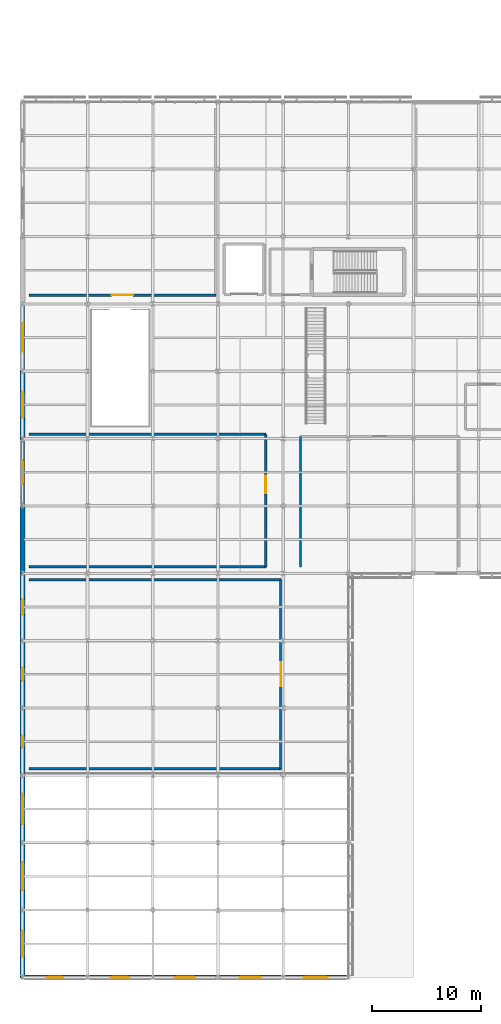
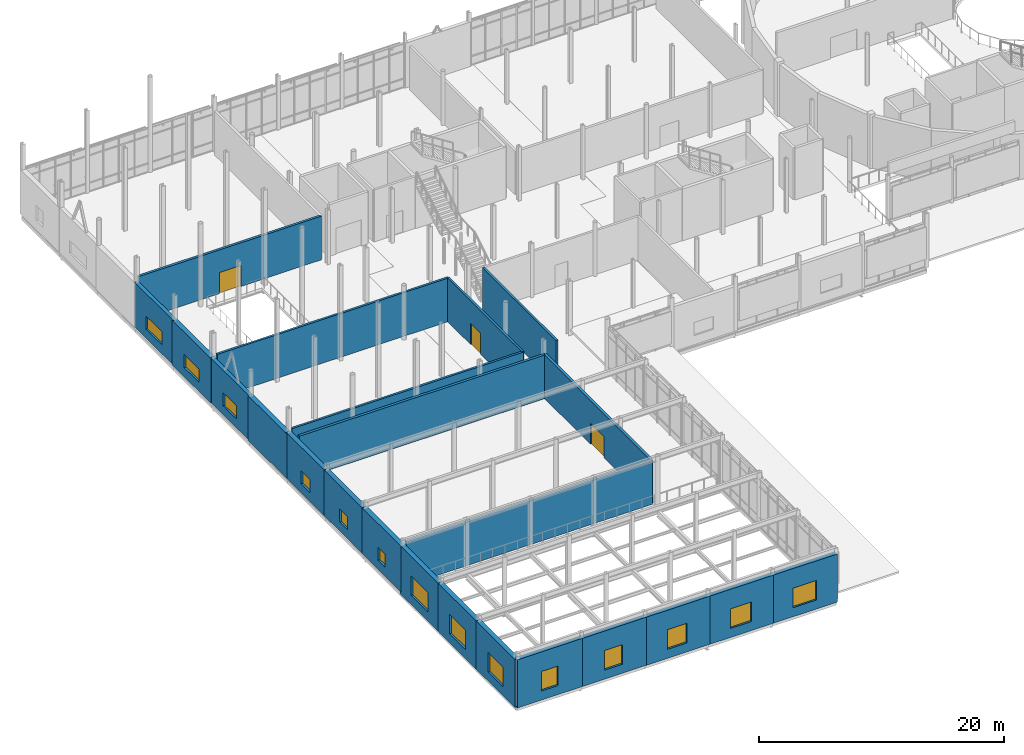
# One storey, part 66 of 105: 23 walls, 14 windows, 3 doors, 17 openings.
"""IFC4 building model written with IfcOpenShell, lengths in metres."""

from ifc_helpers import new_model, si_unit, direction, frame, frame_2d, origin, place, context, subcontext, project, spatial, rectangle, extrude, material, layer, layer_set, type_object, element, fill, save


model = new_model("IFC4")

# Units and contexts
model_context = context("Model", 3, precision=1e-05, world=origin(), true_north=direction((0.0, 1.0)))
body_context = subcontext(model_context, "Body", "Model", "MODEL_VIEW")
ifc_project = project(units=[si_unit("LENGTHUNIT", "METRE"), si_unit("AREAUNIT", "SQUARE_METRE"), si_unit("VOLUMEUNIT", "CUBIC_METRE"), si_unit("PLANEANGLEUNIT", "RADIAN"), si_unit("MASSUNIT", "GRAM", prefix="KILO")], contexts=[model_context])

# Site, building, storey
site_placement = place(None, origin())
site = spatial("IfcSite", under=ifc_project, at=site_placement, CompositionType="ELEMENT")
building_placement = place(site_placement, origin())
building = spatial("IfcBuilding", under=site, at=building_placement, Name="Mirzam Square Science Centre", CompositionType="ELEMENT")
storey_placement = place(building_placement, frame((0.0, 0.0, 5.39990234375)))
storey = spatial("IfcBuildingStorey", under=building, at=storey_placement, Name="L01", CompositionType="ELEMENT", Elevation=5.39990234375)

# Wall, opening, window
ifc_material_1 = material(Name="Honed Qatari Limestone Concrete C40/50", Category="masonry")
ifc_layer_1 = layer(ifc_material_1, 0.419921875)
ifc_layer_set_1 = layer_set([ifc_layer_1], Name="W-EXT-LIME-420")
wall_type_1 = type_object("IfcWallType", Name="W-EXT-LIME-420", PredefinedType="SOLIDWALL", material=ifc_layer_set_1)
wall_1_placement = place(storey_placement, frame((-0.074951171875, 0.0, -0.25), z_axis=(0.0, 0.0, 1.0), x_axis=(1.0, 0.0, 0.0)))
wall_1 = element("IfcWall", 1, at=wall_1_placement, inside=storey, type_object=wall_type_1, Name="L01 external wall EW-SW-S-L01-01", PredefinedType="SOLIDWALL", context=body_context, shape_type="SweptSolid", body=[
    extrude(rectangle(XDim=6.14990234375, YDim=0.419921875, at=frame_2d((3.074951171875, 0.0))), origin(), (0.0, 0.0, 1.0), 4.800048828125),
])
opening_1_placement = place(wall_1_placement, frame((2.300048828125, 0.0, 0.89990234375)))
opening_1 = element("IfcOpeningElement", 2, at=opening_1_placement, cuts=wall_1, Name="Opening W-37", PredefinedType="OPENING", context=body_context, shape_type="SweptSolid", body=[
    extrude(rectangle(XDim=1.550048828125, YDim=1.949951171875, at=frame_2d((0.77490234375, 0.97509765625))), frame((0.0, 0.219970703125, 0.0), z_axis=(0.0, -1.0, 0.0), x_axis=(1.0, 0.0, 0.0)), (0.0, 0.0, 1.0), 0.43994140625),
])
ifc_material_2 = material(Name="Thermally Broken Bronze Aluminium and Low-E Glass", Category="aluminium")
window_type_1 = type_object("IfcWindowType", Name="WIN-1550x1950", PartitioningType="SINGLE_PANEL", PredefinedType="WINDOW", material=ifc_material_2)
window_1_placement = place(opening_1_placement, origin())
window_1 = element("IfcWindow", 3, at=window_1_placement, inside=storey, type_object=window_type_1, Name="L01 solar window 037", OverallHeight=1.949951171875, OverallWidth=1.550048828125, PartitioningType="SINGLE_PANEL", PredefinedType="WINDOW", context=body_context, shape_type="SweptSolid", body=[
    extrude(rectangle(XDim=1.550048828125, YDim=1.949951171875, at=frame_2d((0.77490234375, 0.97509765625))), frame((0.0, 0.030029296875, 0.0), z_axis=(0.0, -1.0, 0.0), x_axis=(1.0, 0.0, 0.0)), (0.0, 0.0, 1.0), 0.06005859375),
])
fill(opening_1, window_1)

wall_2_placement = place(storey_placement, frame((5.925048828125, 0.0, -0.25), z_axis=(0.0, 0.0, 1.0), x_axis=(1.0, 0.0, 0.0)))
wall_2 = element("IfcWall", 4, at=wall_2_placement, inside=storey, type_object=wall_type_1, Name="L01 external wall EW-SW-S-L01-02", PredefinedType="SOLIDWALL", context=body_context, shape_type="SweptSolid", body=[
    extrude(rectangle(XDim=6.14990234375, YDim=0.419921875, at=frame_2d((3.074951171875, 0.0))), origin(), (0.0, 0.0, 1.0), 4.800048828125),
])
opening_2_placement = place(wall_2_placement, frame((2.22509765625, 0.0, 0.89990234375)))
opening_2 = element("IfcOpeningElement", 5, at=opening_2_placement, cuts=wall_2, Name="Opening W-38", PredefinedType="OPENING", context=body_context, shape_type="SweptSolid", body=[
    extrude(rectangle(XDim=1.699951171875, YDim=1.949951171875, at=frame_2d((0.85009765625, 0.97509765625))), frame((0.0, 0.219970703125, 0.0), z_axis=(0.0, -1.0, 0.0), x_axis=(1.0, 0.0, 0.0)), (0.0, 0.0, 1.0), 0.43994140625),
])
window_type_2 = type_object("IfcWindowType", Name="WIN-1700x1950", PartitioningType="SINGLE_PANEL", PredefinedType="WINDOW", material=ifc_material_2)
window_2_placement = place(opening_2_placement, origin())
window_2 = element("IfcWindow", 6, at=window_2_placement, inside=storey, type_object=window_type_2, Name="L01 solar window 038", OverallHeight=1.949951171875, OverallWidth=1.699951171875, PartitioningType="SINGLE_PANEL", PredefinedType="WINDOW", context=body_context, shape_type="SweptSolid", body=[
    extrude(rectangle(XDim=1.699951171875, YDim=1.949951171875, at=frame_2d((0.85009765625, 0.97509765625))), frame((0.0, 0.030029296875, 0.0), z_axis=(0.0, -1.0, 0.0), x_axis=(1.0, 0.0, 0.0)), (0.0, 0.0, 1.0), 0.06005859375),
])
fill(opening_2, window_2)

wall_3_placement = place(storey_placement, frame((11.925048828125, 0.0, -0.25), z_axis=(0.0, 0.0, 1.0), x_axis=(1.0, 0.0, 0.0)))
wall_3 = element("IfcWall", 7, at=wall_3_placement, inside=storey, type_object=wall_type_1, Name="L01 external wall EW-SW-S-L01-03", PredefinedType="SOLIDWALL", context=body_context, shape_type="SweptSolid", body=[
    extrude(rectangle(XDim=6.14990234375, YDim=0.419921875, at=frame_2d((3.074951171875, 0.0))), origin(), (0.0, 0.0, 1.0), 4.800048828125),
])
opening_3_placement = place(wall_3_placement, frame((2.14990234375, 0.0, 0.89990234375)))
opening_3 = element("IfcOpeningElement", 8, at=opening_3_placement, cuts=wall_3, Name="Opening W-39", PredefinedType="OPENING", context=body_context, shape_type="SweptSolid", body=[
    extrude(rectangle(XDim=1.85009765625, YDim=1.949951171875, at=frame_2d((0.925048828125, 0.97509765625))), frame((0.0, 0.219970703125, 0.0), z_axis=(0.0, -1.0, 0.0), x_axis=(1.0, 0.0, 0.0)), (0.0, 0.0, 1.0), 0.43994140625),
])
window_type_3 = type_object("IfcWindowType", Name="WIN-1850x1950", PartitioningType="DOUBLE_PANEL_VERTICAL", PredefinedType="WINDOW", material=ifc_material_2)
window_3_placement = place(opening_3_placement, origin())
window_3 = element("IfcWindow", 9, at=window_3_placement, inside=storey, type_object=window_type_3, Name="L01 solar window 039", OverallHeight=1.949951171875, OverallWidth=1.85009765625, PartitioningType="DOUBLE_PANEL_VERTICAL", PredefinedType="WINDOW", context=body_context, shape_type="SweptSolid", body=[
    extrude(rectangle(XDim=1.85009765625, YDim=1.949951171875, at=frame_2d((0.925048828125, 0.97509765625))), frame((0.0, 0.030029296875, 0.0), z_axis=(0.0, -1.0, 0.0), x_axis=(1.0, 0.0, 0.0)), (0.0, 0.0, 1.0), 0.06005859375),
])
fill(opening_3, window_3)

wall_4_placement = place(storey_placement, frame((17.925048828125, 0.0, -0.25), z_axis=(0.0, 0.0, 1.0), x_axis=(1.0, 0.0, 0.0)))
wall_4 = element("IfcWall", 10, at=wall_4_placement, inside=storey, type_object=wall_type_1, Name="L01 external wall EW-SW-S-L01-04", PredefinedType="SOLIDWALL", context=body_context, shape_type="SweptSolid", body=[
    extrude(rectangle(XDim=6.14990234375, YDim=0.419921875, at=frame_2d((3.074951171875, 0.0))), origin(), (0.0, 0.0, 1.0), 4.800048828125),
])
opening_4_placement = place(wall_4_placement, frame((2.074951171875, 0.0, 0.89990234375)))
opening_4 = element("IfcOpeningElement", 11, at=opening_4_placement, cuts=wall_4, Name="Opening W-40", PredefinedType="OPENING", context=body_context, shape_type="SweptSolid", body=[
    extrude(rectangle(XDim=2.0, YDim=1.949951171875, at=frame_2d((1.0, 0.97509765625))), frame((0.0, 0.219970703125, 0.0), z_axis=(0.0, -1.0, 0.0), x_axis=(1.0, 0.0, 0.0)), (0.0, 0.0, 1.0), 0.43994140625),
])
window_type_4 = type_object("IfcWindowType", Name="WIN-2000x1950", PartitioningType="DOUBLE_PANEL_VERTICAL", PredefinedType="WINDOW", material=ifc_material_2)
window_4_placement = place(opening_4_placement, origin())
window_4 = element("IfcWindow", 12, at=window_4_placement, inside=storey, type_object=window_type_4, Name="L01 solar window 040", OverallHeight=1.949951171875, OverallWidth=2.0, PartitioningType="DOUBLE_PANEL_VERTICAL", PredefinedType="WINDOW", context=body_context, shape_type="SweptSolid", body=[
    extrude(rectangle(XDim=2.0, YDim=1.949951171875, at=frame_2d((1.0, 0.97509765625))), frame((0.0, 0.030029296875, 0.0), z_axis=(0.0, -1.0, 0.0), x_axis=(1.0, 0.0, 0.0)), (0.0, 0.0, 1.0), 0.06005859375),
])
fill(opening_4, window_4)

wall_5_placement = place(storey_placement, frame((23.925048828125, 0.0, -0.25), z_axis=(0.0, 0.0, 1.0), x_axis=(1.0, 0.0, 0.0)))
wall_5 = element("IfcWall", 13, at=wall_5_placement, inside=storey, type_object=wall_type_1, Name="L01 external wall EW-SW-S-L01-05", PredefinedType="SOLIDWALL", context=body_context, shape_type="SweptSolid", body=[
    extrude(rectangle(XDim=6.14990234375, YDim=0.419921875, at=frame_2d((3.074951171875, 0.0))), origin(), (0.0, 0.0, 1.0), 4.800048828125),
])
opening_5_placement = place(wall_5_placement, frame((1.97509765625, 0.0, 0.89990234375)))
opening_5 = element("IfcOpeningElement", 14, at=opening_5_placement, cuts=wall_5, Name="Opening W-41", PredefinedType="OPENING", context=body_context, shape_type="SweptSolid", body=[
    extrude(rectangle(XDim=2.199951171875, YDim=1.949951171875, at=frame_2d((1.10009765625, 0.97509765625))), frame((0.0, 0.219970703125, 0.0), z_axis=(0.0, -1.0, 0.0), x_axis=(1.0, 0.0, 0.0)), (0.0, 0.0, 1.0), 0.43994140625),
])
window_type_5 = type_object("IfcWindowType", Name="WIN-2200x1950", PartitioningType="DOUBLE_PANEL_VERTICAL", PredefinedType="WINDOW", material=ifc_material_2)
window_5_placement = place(opening_5_placement, origin())
window_5 = element("IfcWindow", 15, at=window_5_placement, inside=storey, type_object=window_type_5, Name="L01 solar window 041", OverallHeight=1.949951171875, OverallWidth=2.199951171875, PartitioningType="DOUBLE_PANEL_VERTICAL", PredefinedType="WINDOW", context=body_context, shape_type="SweptSolid", body=[
    extrude(rectangle(XDim=2.199951171875, YDim=1.949951171875, at=frame_2d((1.10009765625, 0.97509765625))), frame((0.0, 0.030029296875, 0.0), z_axis=(0.0, -1.0, 0.0), x_axis=(1.0, 0.0, 0.0)), (0.0, 0.0, 1.0), 0.06005859375),
])
fill(opening_5, window_5)

ifc_layer_2 = layer(ifc_material_1, 0.43505859375)
ifc_layer_set_2 = layer_set([ifc_layer_2], Name="W-EXT-LIME-435")
wall_type_2 = type_object("IfcWallType", Name="W-EXT-LIME-435", PredefinedType="SOLIDWALL", material=ifc_layer_set_2)
wall_6_placement = place(storey_placement, frame((0.0, 6.27490234375, -0.25), z_axis=(0.0, 0.0, 1.0), x_axis=(0.0, -1.0, 0.0)))
wall_6 = element("IfcWall", 16, at=wall_6_placement, inside=storey, type_object=wall_type_2, Name="L01 external wall EW-SW-W-L01-01", PredefinedType="SOLIDWALL", context=body_context, shape_type="SweptSolid", body=[
    extrude(rectangle(XDim=6.349853515625, YDim=0.43505859375, at=frame_2d((3.1748046875, 0.0))), origin(), (0.0, 0.0, 1.0), 4.800048828125),
])
opening_6_placement = place(wall_6_placement, frame((1.97509765625, 0.0, 0.89990234375)))
opening_6 = element("IfcOpeningElement", 17, at=opening_6_placement, cuts=wall_6, Name="Opening W-42", PredefinedType="OPENING", context=body_context, shape_type="SweptSolid", body=[
    extrude(rectangle(XDim=2.39990234375, YDim=1.949951171875, at=frame_2d((1.199951171875, 0.97509765625))), frame((0.0, 0.2275390625, 0.0), z_axis=(0.0, -1.0, 0.0), x_axis=(1.0, 0.0, 0.0)), (0.0, 0.0, 1.0), 0.455078125),
])
window_type_6 = type_object("IfcWindowType", Name="WIN-2400x1950", PartitioningType="DOUBLE_PANEL_VERTICAL", PredefinedType="WINDOW", material=ifc_material_2)
window_6_placement = place(opening_6_placement, origin())
window_6 = element("IfcWindow", 18, at=window_6_placement, inside=storey, type_object=window_type_6, Name="L01 solar window 042", OverallHeight=1.949951171875, OverallWidth=2.39990234375, PartitioningType="DOUBLE_PANEL_VERTICAL", PredefinedType="WINDOW", context=body_context, shape_type="SweptSolid", body=[
    extrude(rectangle(XDim=2.39990234375, YDim=1.949951171875, at=frame_2d((1.199951171875, 0.97509765625))), frame((0.0, 0.030029296875, 0.0), z_axis=(0.0, -1.0, 0.0), x_axis=(1.0, 0.0, 0.0)), (0.0, 0.0, 1.0), 0.06005859375),
])
fill(opening_6, window_6)

wall_7_placement = place(storey_placement, frame((0.0, 12.47509765625, -0.25), z_axis=(0.0, 0.0, 1.0), x_axis=(0.0, -1.0, 0.0)))
wall_7 = element("IfcWall", 19, at=wall_7_placement, inside=storey, type_object=wall_type_2, Name="L01 external wall EW-SW-W-L01-02", PredefinedType="SOLIDWALL", context=body_context, shape_type="SweptSolid", body=[
    extrude(rectangle(XDim=6.35009765625, YDim=0.43505859375, at=frame_2d((3.175048828125, 0.0))), origin(), (0.0, 0.0, 1.0), 4.800048828125),
])
opening_7_placement = place(wall_7_placement, frame((1.875, 0.0, 0.89990234375)))
opening_7 = element("IfcOpeningElement", 20, at=opening_7_placement, cuts=wall_7, Name="Opening W-43", PredefinedType="OPENING", context=body_context, shape_type="SweptSolid", body=[
    extrude(rectangle(XDim=2.60009765625, YDim=1.949951171875, at=frame_2d((1.300048828125, 0.97509765625))), frame((0.0, 0.2275390625, 0.0), z_axis=(0.0, -1.0, 0.0), x_axis=(1.0, 0.0, 0.0)), (0.0, 0.0, 1.0), 0.455078125),
])
window_type_7 = type_object("IfcWindowType", Name="WIN-2600x1950", PartitioningType="DOUBLE_PANEL_VERTICAL", PredefinedType="WINDOW", material=ifc_material_2)
window_7_placement = place(opening_7_placement, origin())
window_7 = element("IfcWindow", 21, at=window_7_placement, inside=storey, type_object=window_type_7, Name="L01 solar window 043", OverallHeight=1.949951171875, OverallWidth=2.60009765625, PartitioningType="DOUBLE_PANEL_VERTICAL", PredefinedType="WINDOW", context=body_context, shape_type="SweptSolid", body=[
    extrude(rectangle(XDim=2.60009765625, YDim=1.949951171875, at=frame_2d((1.300048828125, 0.97509765625))), frame((0.0, 0.030029296875, 0.0), z_axis=(0.0, -1.0, 0.0), x_axis=(1.0, 0.0, 0.0)), (0.0, 0.0, 1.0), 0.06005859375),
])
fill(opening_7, window_7)

wall_8_placement = place(storey_placement, frame((0.0, 18.675048828125, -0.25), z_axis=(0.0, 0.0, 1.0), x_axis=(0.0, -1.0, 0.0)))
wall_8 = element("IfcWall", 22, at=wall_8_placement, inside=storey, type_object=wall_type_2, Name="L01 external wall EW-SW-W-L01-03", PredefinedType="SOLIDWALL", context=body_context, shape_type="SweptSolid", body=[
    extrude(rectangle(XDim=6.35009765625, YDim=0.43505859375, at=frame_2d((3.175048828125, 0.0))), origin(), (0.0, 0.0, 1.0), 4.800048828125),
])
opening_8_placement = place(wall_8_placement, frame((1.77490234375, 0.0, 0.89990234375)))
opening_8 = element("IfcOpeningElement", 23, at=opening_8_placement, cuts=wall_8, Name="Opening W-44", PredefinedType="OPENING", context=body_context, shape_type="SweptSolid", body=[
    extrude(rectangle(XDim=2.800048828125, YDim=1.949951171875, at=frame_2d((1.39990234375, 0.97509765625))), frame((0.0, 0.2275390625, 0.0), z_axis=(0.0, -1.0, 0.0), x_axis=(1.0, 0.0, 0.0)), (0.0, 0.0, 1.0), 0.455078125),
])
window_type_8 = type_object("IfcWindowType", Name="WIN-2800x1950", PartitioningType="DOUBLE_PANEL_VERTICAL", PredefinedType="WINDOW", material=ifc_material_2)
window_8_placement = place(opening_8_placement, origin())
window_8 = element("IfcWindow", 24, at=window_8_placement, inside=storey, type_object=window_type_8, Name="L01 solar window 044", OverallHeight=1.949951171875, OverallWidth=2.800048828125, PartitioningType="DOUBLE_PANEL_VERTICAL", PredefinedType="WINDOW", context=body_context, shape_type="SweptSolid", body=[
    extrude(rectangle(XDim=2.800048828125, YDim=1.949951171875, at=frame_2d((1.39990234375, 0.97509765625))), frame((0.0, 0.030029296875, 0.0), z_axis=(0.0, -1.0, 0.0), x_axis=(1.0, 0.0, 0.0)), (0.0, 0.0, 1.0), 0.06005859375),
])
fill(opening_8, window_8)

wall_9_placement = place(storey_placement, frame((0.0, 24.875, 0.0), z_axis=(0.0, 0.0, 1.0), x_axis=(0.0, -1.0, 0.0)))
wall_9 = element("IfcWall", 25, at=wall_9_placement, inside=storey, type_object=wall_type_2, Name="L01 external wall EW-SW-W-L01-04", PredefinedType="SOLIDWALL", context=body_context, shape_type="SweptSolid", body=[
    extrude(rectangle(XDim=6.35009765625, YDim=0.43505859375, at=frame_2d((3.175048828125, 0.0))), origin(), (0.0, 0.0, 1.0), 4.550048828125),
])
opening_9_placement = place(wall_9_placement, frame((2.625, 0.0, 0.89990234375)))
opening_9 = element("IfcOpeningElement", 26, at=opening_9_placement, cuts=wall_9, Name="Opening W-01", PredefinedType="OPENING", context=body_context, shape_type="SweptSolid", body=[
    extrude(rectangle(XDim=1.10009765625, YDim=1.300048828125, at=frame_2d((0.550048828125, 0.64990234375))), frame((0.0, 0.2275390625, 0.0), z_axis=(0.0, -1.0, 0.0), x_axis=(1.0, 0.0, 0.0)), (0.0, 0.0, 1.0), 0.455078125),
])
window_type_9 = type_object("IfcWindowType", Name="WIN-1100x1300", PartitioningType="SINGLE_PANEL", PredefinedType="WINDOW", material=ifc_material_2)
window_9_placement = place(opening_9_placement, origin())
window_9 = element("IfcWindow", 27, at=window_9_placement, inside=storey, type_object=window_type_9, Name="L01 solar window 045", OverallHeight=1.300048828125, OverallWidth=1.10009765625, PartitioningType="SINGLE_PANEL", PredefinedType="WINDOW", context=body_context, shape_type="SweptSolid", body=[
    extrude(rectangle(XDim=1.10009765625, YDim=1.300048828125, at=frame_2d((0.550048828125, 0.64990234375))), frame((0.0, 0.030029296875, 0.0), z_axis=(0.0, -1.0, 0.0), x_axis=(1.0, 0.0, 0.0)), (0.0, 0.0, 1.0), 0.06005859375),
])
fill(opening_9, window_9)

wall_10_placement = place(storey_placement, frame((0.0, 31.074951171875, 0.0), z_axis=(0.0, 0.0, 1.0), x_axis=(0.0, -1.0, 0.0)))
wall_10 = element("IfcWall", 28, at=wall_10_placement, inside=storey, type_object=wall_type_2, Name="L01 external wall EW-SW-W-L01-05", PredefinedType="SOLIDWALL", context=body_context, shape_type="SweptSolid", body=[
    extrude(rectangle(XDim=6.349853515625, YDim=0.43505859375, at=frame_2d((3.1748046875, 0.0))), origin(), (0.0, 0.0, 1.0), 4.550048828125),
])
opening_10_placement = place(wall_10_placement, frame((2.550048828125, 0.0, 0.89990234375)))
opening_10 = element("IfcOpeningElement", 29, at=opening_10_placement, cuts=wall_10, Name="Opening W-02", PredefinedType="OPENING", context=body_context, shape_type="SweptSolid", body=[
    extrude(rectangle(XDim=1.25, YDim=1.300048828125, at=frame_2d((0.625, 0.64990234375))), frame((0.0, 0.2275390625, 0.0), z_axis=(0.0, -1.0, 0.0), x_axis=(1.0, 0.0, 0.0)), (0.0, 0.0, 1.0), 0.455078125),
])
window_type_10 = type_object("IfcWindowType", Name="WIN-1250x1300", PartitioningType="SINGLE_PANEL", PredefinedType="WINDOW", material=ifc_material_2)
window_10_placement = place(opening_10_placement, origin())
window_10 = element("IfcWindow", 30, at=window_10_placement, inside=storey, type_object=window_type_10, Name="L01 solar window 046", OverallHeight=1.300048828125, OverallWidth=1.25, PartitioningType="SINGLE_PANEL", PredefinedType="WINDOW", context=body_context, shape_type="SweptSolid", body=[
    extrude(rectangle(XDim=1.25, YDim=1.300048828125, at=frame_2d((0.625, 0.64990234375))), frame((0.0, 0.030029296875, 0.0), z_axis=(0.0, -1.0, 0.0), x_axis=(1.0, 0.0, 0.0)), (0.0, 0.0, 1.0), 0.06005859375),
])
fill(opening_10, window_10)

wall_11_placement = place(storey_placement, frame((0.0, 37.27490234375, 0.0), z_axis=(0.0, 0.0, 1.0), x_axis=(0.0, -1.0, 0.0)))
wall_11 = element("IfcWall", 31, at=wall_11_placement, inside=storey, type_object=wall_type_2, Name="L01 external wall EW-SW-W-L01-06", PredefinedType="SOLIDWALL", context=body_context, shape_type="SweptSolid", body=[
    extrude(rectangle(XDim=6.349853515625, YDim=0.43505859375, at=frame_2d((3.1748046875, 0.0))), origin(), (0.0, 0.0, 1.0), 4.550048828125),
])
opening_11_placement = place(wall_11_placement, frame((2.47509765625, 0.0, 0.89990234375)))
opening_11 = element("IfcOpeningElement", 32, at=opening_11_placement, cuts=wall_11, Name="Opening W-03", PredefinedType="OPENING", context=body_context, shape_type="SweptSolid", body=[
    extrude(rectangle(XDim=1.39990234375, YDim=1.300048828125, at=frame_2d((0.699951171875, 0.64990234375))), frame((0.0, 0.2275390625, 0.0), z_axis=(0.0, -1.0, 0.0), x_axis=(1.0, 0.0, 0.0)), (0.0, 0.0, 1.0), 0.455078125),
])
window_type_11 = type_object("IfcWindowType", Name="WIN-1400x1300", PartitioningType="SINGLE_PANEL", PredefinedType="WINDOW", material=ifc_material_2)
window_11_placement = place(opening_11_placement, origin())
window_11 = element("IfcWindow", 33, at=window_11_placement, inside=storey, type_object=window_type_11, Name="L01 solar window 047", OverallHeight=1.300048828125, OverallWidth=1.39990234375, PartitioningType="SINGLE_PANEL", PredefinedType="WINDOW", context=body_context, shape_type="SweptSolid", body=[
    extrude(rectangle(XDim=1.39990234375, YDim=1.300048828125, at=frame_2d((0.699951171875, 0.64990234375))), frame((0.0, 0.030029296875, 0.0), z_axis=(0.0, -1.0, 0.0), x_axis=(1.0, 0.0, 0.0)), (0.0, 0.0, 1.0), 0.06005859375),
])
fill(opening_11, window_11)

# Wall
ifc_layer_3 = layer(ifc_material_1, 0.449951171875)
ifc_layer_set_3 = layer_set([ifc_layer_3], Name="W-EXT-LIME-450")
wall_type_3 = type_object("IfcWallType", Name="W-EXT-LIME-450", PredefinedType="SOLIDWALL", material=ifc_layer_set_3)
wall_12_placement = place(storey_placement, frame((0.0, 43.47509765625, 0.0), z_axis=(0.0, 0.0, 1.0), x_axis=(0.0, -1.0, 0.0)))
element("IfcWall", 34, at=wall_12_placement, inside=storey, type_object=wall_type_3, Name="L01 external wall EW-WDG-W-L01-07", PredefinedType="SOLIDWALL", context=body_context, shape_type="SweptSolid", body=[
    extrude(rectangle(XDim=6.35009765625, YDim=0.449951171875, at=frame_2d((3.175048828125, 0.0))), origin(), (0.0, 0.0, 1.0), 4.440185546875),
])

# Wall, opening, window
wall_13_placement = place(storey_placement, frame((0.0, 55.875, 0.0), z_axis=(0.0, 0.0, 1.0), x_axis=(0.0, -1.0, 0.0)))
wall_13 = element("IfcWall", 35, at=wall_13_placement, inside=storey, type_object=wall_type_3, Name="L01 external wall EW-WDG-W-L01-09", PredefinedType="SOLIDWALL", context=body_context, shape_type="SweptSolid", body=[
    extrude(rectangle(XDim=6.35009765625, YDim=0.449951171875, at=frame_2d((3.175048828125, 0.0))), origin(), (0.0, 0.0, 1.0), 4.440185546875),
])
opening_12_placement = place(wall_13_placement, frame((1.97509765625, 0.0, 0.89990234375)))
opening_12 = element("IfcOpeningElement", 36, at=opening_12_placement, cuts=wall_13, Name="Opening W-09", PredefinedType="OPENING", context=body_context, shape_type="SweptSolid", body=[
    extrude(rectangle(XDim=2.39990234375, YDim=1.300048828125, at=frame_2d((1.199951171875, 0.64990234375))), frame((0.0, 0.23486328125, 0.0), z_axis=(0.0, -1.0, 0.0), x_axis=(1.0, 0.0, 0.0)), (0.0, 0.0, 1.0), 0.469970703125),
])
window_type_12 = type_object("IfcWindowType", Name="WIN-2400x1300", PartitioningType="DOUBLE_PANEL_VERTICAL", PredefinedType="WINDOW", material=ifc_material_2)
window_12_placement = place(opening_12_placement, origin())
window_12 = element("IfcWindow", 37, at=window_12_placement, inside=storey, type_object=window_type_12, Name="L01 solar window 009", OverallHeight=1.300048828125, OverallWidth=2.39990234375, PartitioningType="DOUBLE_PANEL_VERTICAL", PredefinedType="WINDOW", context=body_context, shape_type="SweptSolid", body=[
    extrude(rectangle(XDim=2.39990234375, YDim=1.300048828125, at=frame_2d((1.199951171875, 0.64990234375))), frame((0.0, 0.030029296875, 0.0), z_axis=(0.0, -1.0, 0.0), x_axis=(1.0, 0.0, 0.0)), (0.0, 0.0, 1.0), 0.06005859375),
])
fill(opening_12, window_12)

ifc_material_3 = material(Name="Standing-Seam Zinc-Clad Concrete Backup C40/50", Category="concrete")
ifc_layer_4 = layer(ifc_material_3, 0.35009765625)
ifc_layer_set_4 = layer_set([ifc_layer_4], Name="W-EXT-METAL-350")
wall_type_4 = type_object("IfcWallType", Name="W-EXT-METAL-350", PredefinedType="SOLIDWALL", material=ifc_layer_set_4)
wall_14_placement = place(storey_placement, frame((0.0, 49.675048828125, 0.0), z_axis=(0.0, 0.0, 1.0), x_axis=(0.0, -1.0, 0.0)))
wall_14 = element("IfcWall", 38, at=wall_14_placement, inside=storey, type_object=wall_type_4, Name="L01 external wall EW-WDG-W-L01-08", PredefinedType="SOLIDWALL", context=body_context, shape_type="SweptSolid", body=[
    extrude(rectangle(XDim=6.35009765625, YDim=0.35009765625, at=frame_2d((3.175048828125, 0.0))), origin(), (0.0, 0.0, 1.0), 4.440185546875),
])
opening_13_placement = place(wall_14_placement, frame((2.074951171875, 0.0, 0.89990234375)))
opening_13 = element("IfcOpeningElement", 39, at=opening_13_placement, cuts=wall_14, Name="Opening W-08", PredefinedType="OPENING", context=body_context, shape_type="SweptSolid", body=[
    extrude(rectangle(XDim=2.199951171875, YDim=1.300048828125, at=frame_2d((1.10009765625, 0.64990234375))), frame((0.0, 0.18505859375, 0.0), z_axis=(0.0, -1.0, 0.0), x_axis=(1.0, 0.0, 0.0)), (0.0, 0.0, 1.0), 0.3701171875),
])
window_type_13 = type_object("IfcWindowType", Name="WIN-2200x1300", PartitioningType="DOUBLE_PANEL_VERTICAL", PredefinedType="WINDOW", material=ifc_material_2)
window_13_placement = place(opening_13_placement, origin())
window_13 = element("IfcWindow", 40, at=window_13_placement, inside=storey, type_object=window_type_13, Name="L01 solar window 008", OverallHeight=1.300048828125, OverallWidth=2.199951171875, PartitioningType="DOUBLE_PANEL_VERTICAL", PredefinedType="WINDOW", context=body_context, shape_type="SweptSolid", body=[
    extrude(rectangle(XDim=2.199951171875, YDim=1.300048828125, at=frame_2d((1.10009765625, 0.64990234375))), frame((0.0, 0.030029296875, 0.0), z_axis=(0.0, -1.0, 0.0), x_axis=(1.0, 0.0, 0.0)), (0.0, 0.0, 1.0), 0.06005859375),
])
fill(opening_13, window_13)

wall_15_placement = place(storey_placement, frame((0.0, 62.074951171875, 0.0), z_axis=(0.0, 0.0, 1.0), x_axis=(0.0, -1.0, 0.0)))
wall_15 = element("IfcWall", 41, at=wall_15_placement, inside=storey, type_object=wall_type_4, Name="L01 external wall EW-WDG-W-L01-10", PredefinedType="SOLIDWALL", context=body_context, shape_type="SweptSolid", body=[
    extrude(rectangle(XDim=6.349853515625, YDim=0.35009765625, at=frame_2d((3.1748046875, 0.0))), origin(), (0.0, 0.0, 1.0), 4.440185546875),
])
opening_14_placement = place(wall_15_placement, frame((1.875, 0.0, 0.89990234375)))
opening_14 = element("IfcOpeningElement", 42, at=opening_14_placement, cuts=wall_15, Name="Opening W-10", PredefinedType="OPENING", context=body_context, shape_type="SweptSolid", body=[
    extrude(rectangle(XDim=2.60009765625, YDim=1.300048828125, at=frame_2d((1.300048828125, 0.64990234375))), frame((0.0, 0.18505859375, 0.0), z_axis=(0.0, -1.0, 0.0), x_axis=(1.0, 0.0, 0.0)), (0.0, 0.0, 1.0), 0.3701171875),
])
window_type_14 = type_object("IfcWindowType", Name="WIN-2600x1300", PartitioningType="DOUBLE_PANEL_VERTICAL", PredefinedType="WINDOW", material=ifc_material_2)
window_14_placement = place(opening_14_placement, origin())
window_14 = element("IfcWindow", 43, at=window_14_placement, inside=storey, type_object=window_type_14, Name="L01 solar window 010", OverallHeight=1.300048828125, OverallWidth=2.60009765625, PartitioningType="DOUBLE_PANEL_VERTICAL", PredefinedType="WINDOW", context=body_context, shape_type="SweptSolid", body=[
    extrude(rectangle(XDim=2.60009765625, YDim=1.300048828125, at=frame_2d((1.300048828125, 0.64990234375))), frame((0.0, 0.030029296875, 0.0), z_axis=(0.0, -1.0, 0.0), x_axis=(1.0, 0.0, 0.0)), (0.0, 0.0, 1.0), 0.06005859375),
])
fill(opening_14, window_14)

# Wall
ifc_material_4 = material(Name="Fire-Rated Corridor Blockwork Concrete C30/37", Category="masonry")
ifc_layer_5 = layer(ifc_material_4, 0.199951171875)
ifc_layer_set_5 = layer_set([ifc_layer_5], Name="W-PART-200")
wall_type_5 = type_object("IfcWallType", Name="W-PART-200", PredefinedType="PARTITIONING", material=ifc_layer_set_5)
wall_16_placement = place(storey_placement, frame((0.60009765625, 50.0, 0.0), z_axis=(0.0, 0.0, 1.0), x_axis=(1.0, 0.0, 0.0)))
element("IfcWall", 44, at=wall_16_placement, inside=storey, type_object=wall_type_5, Name="L01 West Wedge Exhibition Mezzanine partition 114", PredefinedType="PARTITIONING", context=body_context, shape_type="SweptSolid", body=[
    extrude(rectangle(XDim=21.7998046875, YDim=0.199951171875, at=frame_2d((10.89990234375, 0.0))), origin(), (0.0, 0.0, 1.0), 4.35009765625),
])

# Wall, opening, door
wall_17_placement = place(storey_placement, frame((22.39990234375, 50.0, 0.0), z_axis=(0.0, 0.0, 1.0), x_axis=(0.0, -1.0, 0.0)))
wall_17 = element("IfcWall", 45, at=wall_17_placement, inside=storey, type_object=wall_type_5, Name="L01 West Wedge Exhibition Mezzanine partition 115", PredefinedType="PARTITIONING", context=body_context, shape_type="SweptSolid", body=[
    extrude(rectangle(XDim=12.199951171875, YDim=0.199951171875, at=frame_2d((6.10009765625, 0.0))), origin(), (0.0, 0.0, 1.0), 4.35009765625),
])
opening_15_placement = place(wall_17_placement, frame((3.8359375, 0.0, 0.0)))
opening_15 = element("IfcOpeningElement", 46, at=opening_15_placement, cuts=wall_17, Name="Opening D-08", PredefinedType="OPENING", context=body_context, shape_type="SweptSolid", body=[
    extrude(rectangle(XDim=1.60009765625, YDim=2.10009765625, at=frame_2d((0.800048828125, 1.050048828125))), frame((0.0, 0.10986328125, 0.0), z_axis=(0.0, -1.0, 0.0), x_axis=(1.0, 0.0, 0.0)), (0.0, 0.0, 1.0), 0.219970703125),
])
ifc_material_5 = material(Name="Solid Core Acoustic Oak Timber Door", Category="wood")
door_type_1 = type_object("IfcDoorType", Name="DR-INT-1600x2100", OperationType="DOUBLE_DOOR_SINGLE_SWING", PredefinedType="DOOR", material=ifc_material_5)
door_1_placement = place(opening_15_placement, origin())
door_1 = element("IfcDoor", 47, at=door_1_placement, inside=storey, type_object=door_type_1, Name="ID-L01-0031", OperationType="DOUBLE_DOOR_SINGLE_SWING", OverallHeight=2.10009765625, OverallWidth=1.60009765625, PredefinedType="DOOR", context=body_context, shape_type="SweptSolid", body=[
    extrude(rectangle(XDim=1.60009765625, YDim=2.10009765625, at=frame_2d((0.800048828125, 1.050048828125))), frame((0.0, 0.02490234375, 0.0), z_axis=(0.0, -1.0, 0.0), x_axis=(1.0, 0.0, 0.0)), (0.0, 0.0, 1.0), 0.050048828125),
])
fill(opening_15, door_1)

# Walls
wall_18_placement = place(storey_placement, frame((22.39990234375, 37.800048828125, 0.0), z_axis=(0.0, 0.0, 1.0), x_axis=(-1.0, 0.0, 0.0)))
element("IfcWall", 48, at=wall_18_placement, inside=storey, type_object=wall_type_5, Name="L01 West Wedge Exhibition Mezzanine partition 116", PredefinedType="PARTITIONING", context=body_context, shape_type="SweptSolid", body=[
    extrude(rectangle(XDim=21.7998046875, YDim=0.199951171875, at=frame_2d((10.89990234375, 0.0))), origin(), (0.0, 0.0, 1.0), 4.35009765625),
])
wall_19_placement = place(storey_placement, frame((25.60009765625, 37.800048828125, 0.0), z_axis=(0.0, 0.0, 1.0), x_axis=(0.0, 1.0, 0.0)))
element("IfcWall", 49, at=wall_19_placement, inside=storey, type_object=wall_type_5, Name="L01 Applied Mechanics and Wind Tunnel Laboratory partition 153", PredefinedType="PARTITIONING", context=body_context, shape_type="SweptSolid", body=[
    extrude(rectangle(XDim=12.0, YDim=0.199951171875, at=frame_2d((6.0, 0.0))), origin(), (0.0, 0.0, 1.0), 4.35009765625),
])

# Wall, opening, door
ifc_material_6 = material(Name="Gallery Display Backing Wall Concrete C30/37", Category="concrete")
ifc_layer_6 = layer(ifc_material_6, 0.22998046875)
ifc_layer_set_6 = layer_set([ifc_layer_6], Name="W-PART-230")
wall_type_6 = type_object("IfcWallType", Name="W-PART-230", PredefinedType="PARTITIONING", material=ifc_layer_set_6)
wall_20_placement = place(storey_placement, frame((17.800048828125, 62.800048828125, 0.0), z_axis=(0.0, 0.0, 1.0), x_axis=(-1.0, 0.0, 0.0)))
wall_20 = element("IfcWall", 50, at=wall_20_placement, inside=storey, type_object=wall_type_6, Name="L01 Fluid Dynamics Hands-On Gallery partition 121", PredefinedType="PARTITIONING", context=body_context, shape_type="SweptSolid", body=[
    extrude(rectangle(XDim=17.199951171875, YDim=0.22998046875, at=frame_2d((8.60009765625, 0.0))), origin(), (0.0, 0.0, 1.0), 4.35009765625),
])
opening_16_placement = place(wall_20_placement, frame((7.60009765625, 0.0, 0.0)))
opening_16 = element("IfcOpeningElement", 51, at=opening_16_placement, cuts=wall_20, Name="Opening D-10", PredefinedType="OPENING", context=body_context, shape_type="SweptSolid", body=[
    extrude(rectangle(XDim=2.0, YDim=2.10009765625, at=frame_2d((1.0, 1.050048828125))), frame((0.0, 0.125, 0.0), z_axis=(0.0, -1.0, 0.0), x_axis=(1.0, 0.0, 0.0)), (0.0, 0.0, 1.0), 0.25),
])
ifc_material_7 = material(Name="Powder-Coated Architectural Steel Acoustic Door", Category="steel")
door_type_2 = type_object("IfcDoorType", Name="DR-INT-2000x2100", OperationType="DOUBLE_DOOR_SINGLE_SWING", PredefinedType="DOOR", material=ifc_material_7)
door_2_placement = place(opening_16_placement, origin())
door_2 = element("IfcDoor", 52, at=door_2_placement, inside=storey, type_object=door_type_2, Name="ID-L01-0033", OperationType="DOUBLE_DOOR_SINGLE_SWING", OverallHeight=2.10009765625, OverallWidth=2.0, PredefinedType="DOOR", context=body_context, shape_type="SweptSolid", body=[
    extrude(rectangle(XDim=2.0, YDim=2.10009765625, at=frame_2d((1.0, 1.050048828125))), frame((0.0, 0.02490234375, 0.0), z_axis=(0.0, -1.0, 0.0), x_axis=(1.0, 0.0, 0.0)), (0.0, 0.0, 1.0), 0.050048828125),
])
fill(opening_16, door_2)

# Wall
ifc_material_8 = material(Name="Plant Acoustic Barrier Wall Concrete C35/45", Category="concrete")
ifc_layer_7 = layer(ifc_material_8, 0.2451171875)
ifc_layer_set_7 = layer_set([ifc_layer_7], Name="W-PART-245")
wall_type_7 = type_object("IfcWallType", Name="W-PART-245", PredefinedType="PARTITIONING", material=ifc_layer_set_7)
wall_21_placement = place(storey_placement, frame((0.60009765625, 36.60009765625, 0.0), z_axis=(0.0, 0.0, 1.0), x_axis=(1.0, 0.0, 0.0)))
element("IfcWall", 53, at=wall_21_placement, inside=storey, type_object=wall_type_7, Name="L01 Gulf Marine Ecology Exhibition Hall partition 122", PredefinedType="PARTITIONING", context=body_context, shape_type="SweptSolid", body=[
    extrude(rectangle(XDim=23.199951171875, YDim=0.2451171875, at=frame_2d((11.60009765625, 0.0))), origin(), (0.0, 0.0, 1.0), 4.35009765625),
])

# Wall, opening, door
wall_22_placement = place(storey_placement, frame((23.800048828125, 36.60009765625, 0.0), z_axis=(0.0, 0.0, 1.0), x_axis=(0.0, -1.0, 0.0)))
wall_22 = element("IfcWall", 54, at=wall_22_placement, inside=storey, type_object=wall_type_7, Name="L01 Gulf Marine Ecology Exhibition Hall partition 123", PredefinedType="PARTITIONING", context=body_context, shape_type="SweptSolid", body=[
    extrude(rectangle(XDim=17.400146484375, YDim=0.2451171875, at=frame_2d((8.7001953125, 0.0))), origin(), (0.0, 0.0, 1.0), 4.35009765625),
])
opening_17_placement = place(wall_22_placement, frame((7.60009765625, 0.0, 0.0)))
opening_17 = element("IfcOpeningElement", 55, at=opening_17_placement, cuts=wall_22, Name="Opening D-11", PredefinedType="OPENING", context=body_context, shape_type="SweptSolid", body=[
    extrude(rectangle(XDim=2.199951171875, YDim=2.10009765625, at=frame_2d((1.10009765625, 1.050048828125))), frame((0.0, 0.132568359375, 0.0), z_axis=(0.0, -1.0, 0.0), x_axis=(1.0, 0.0, 0.0)), (0.0, 0.0, 1.0), 0.26513671875),
])
door_type_3 = type_object("IfcDoorType", Name="DR-INT-2200x2100", OperationType="DOUBLE_DOOR_SINGLE_SWING", PredefinedType="DOOR", material=ifc_material_7)
door_3_placement = place(opening_17_placement, origin())
door_3 = element("IfcDoor", 56, at=door_3_placement, inside=storey, type_object=door_type_3, Name="ID-L01-0034", OperationType="DOUBLE_DOOR_SINGLE_SWING", OverallHeight=2.10009765625, OverallWidth=2.199951171875, PredefinedType="DOOR", context=body_context, shape_type="SweptSolid", body=[
    extrude(rectangle(XDim=2.199951171875, YDim=2.10009765625, at=frame_2d((1.10009765625, 1.050048828125))), frame((0.0, 0.02490234375, 0.0), z_axis=(0.0, -1.0, 0.0), x_axis=(1.0, 0.0, 0.0)), (0.0, 0.0, 1.0), 0.050048828125),
])
fill(opening_17, door_3)

# Wall
wall_23_placement = place(storey_placement, frame((23.800048828125, 19.199951171875, 0.0), z_axis=(0.0, 0.0, 1.0), x_axis=(-1.0, 0.0, 0.0)))
element("IfcWall", 57, at=wall_23_placement, inside=storey, type_object=wall_type_7, Name="L01 Gulf Marine Ecology Exhibition Hall partition 124", PredefinedType="PARTITIONING", context=body_context, shape_type="SweptSolid", body=[
    extrude(rectangle(XDim=23.199951171875, YDim=0.2451171875, at=frame_2d((11.60009765625, 0.0))), origin(), (0.0, 0.0, 1.0), 4.35009765625),
])

save(model, "model.ifc")
